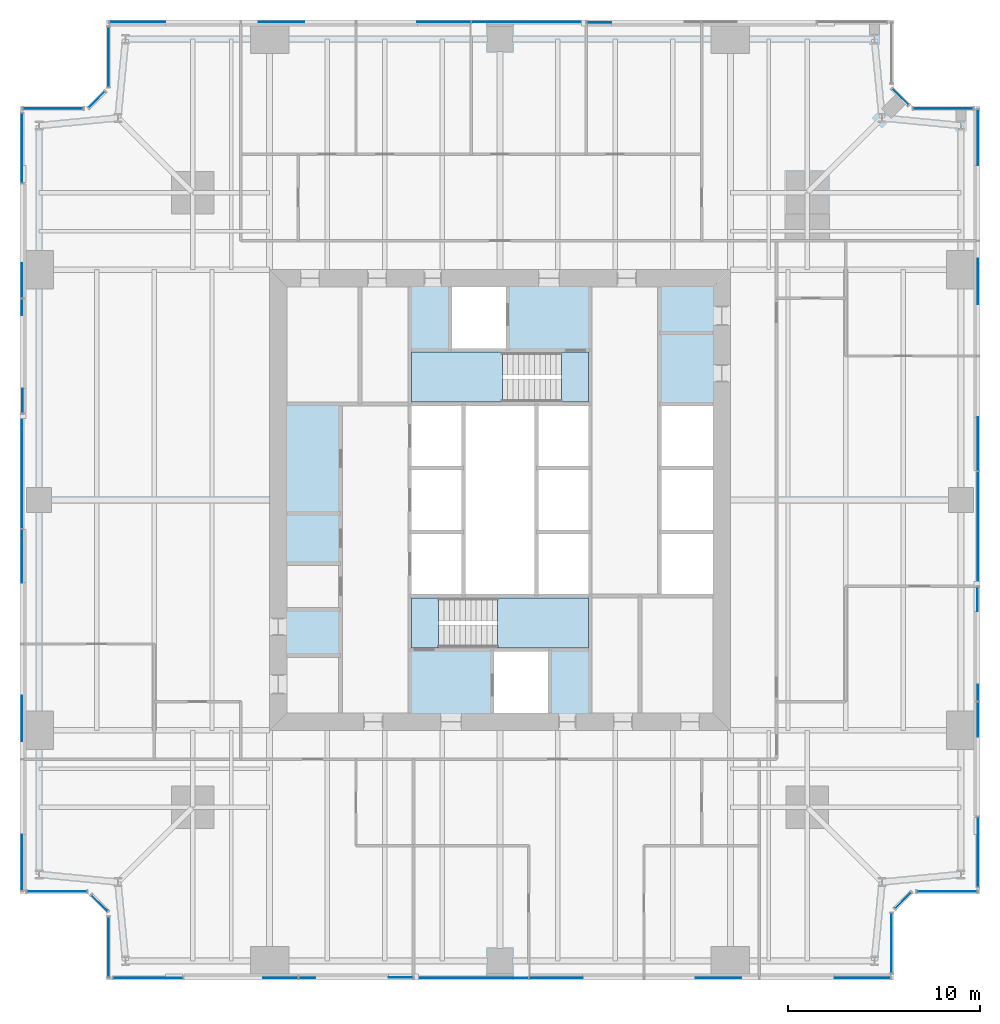
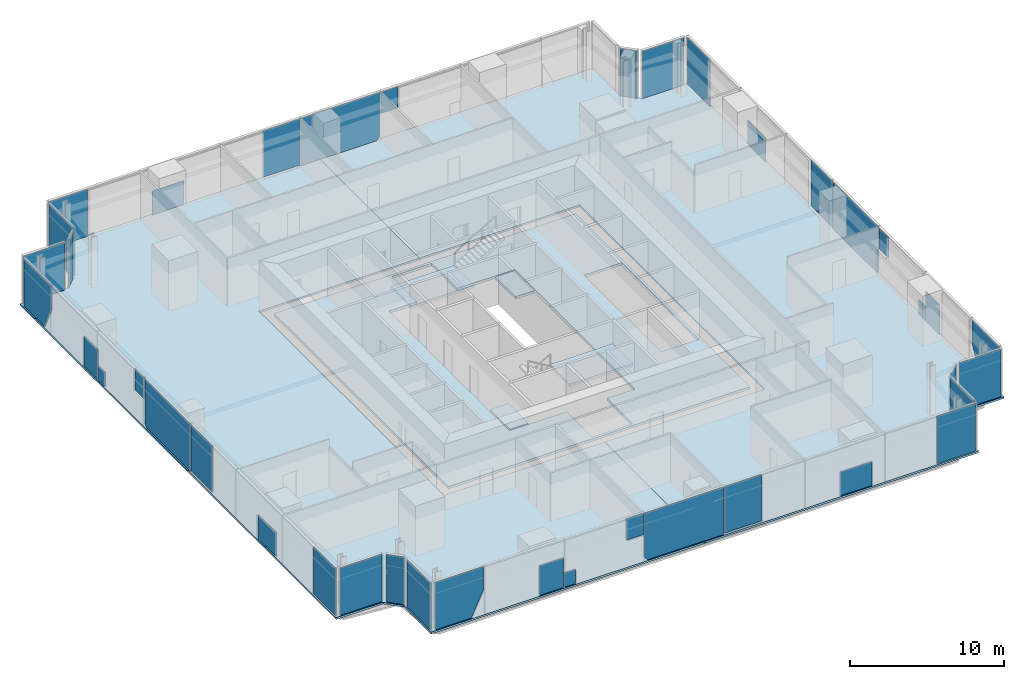
# One storey, part 8 of 14: 40 plates, 7 slabs, 17 elements without a shape of their own.
"""IFC4 building model written with IfcOpenShell, lengths in metres."""

from ifc_helpers import new_model, si_unit, direction, frame, origin, origin_2d, place, context, subcontext, project, spatial, polyline, rectangle, outline, extrude, material, layer, layer_set, type_object, element, aggregate, save


model = new_model("IFC4")

# Units and contexts
model_context = context("Model", 3, precision=1e-05, world=origin(), true_north=direction((0.0, 1.0)))
body_context = subcontext(model_context, "Body", "Model", "MODEL_VIEW")
ifc_project = project(units=[si_unit("LENGTHUNIT", "METRE"), si_unit("AREAUNIT", "SQUARE_METRE"), si_unit("VOLUMEUNIT", "CUBIC_METRE"), si_unit("PLANEANGLEUNIT", "RADIAN"), si_unit("MASSUNIT", "GRAM", prefix="KILO")], contexts=[model_context])

# Site, building, storey
site_placement = place(None, origin())
site = spatial("IfcSite", under=ifc_project, at=site_placement, CompositionType="ELEMENT")
building_placement = place(site_placement, origin())
building = spatial("IfcBuilding", under=site, at=building_placement, Name="Fenwick Lantern Interchange", CompositionType="ELEMENT")
storey_placement = place(building_placement, frame((0.0, 0.0, 154.39990234375)))
storey = spatial("IfcBuildingStorey", under=building, at=storey_placement, Name="L36", CompositionType="ELEMENT", Elevation=154.39990234375)

# Slabs
ifc_material_1 = material(Name="Concrete f'c 35 MPa", Category="concrete")
ifc_layer_1 = layer(ifc_material_1, 0.199951171875)
ifc_layer_set_1 = layer_set([ifc_layer_1], Name="CORE FLOOR SLAB 200")
slab_type_1 = type_object("IfcSlabType", Name="CORE FLOOR SLAB 200", PredefinedType="FLOOR", material=ifc_layer_set_1)
slab_1_placement = place(storey_placement, frame((0.0, 0.0, -0.199951171875)))
element("IfcSlab", 1, at=slab_1_placement, inside=storey, type_object=slab_type_1, Name="L36/SLAB/CORE", PredefinedType="FLOOR", context=body_context, shape_type="SweptSolid", body=[
    extrude(outline(polyline([(13.699951171875, 36.300048828125), (36.300048828125, 36.300048828125), (36.300048828125, 13.699951171875), (13.699951171875, 13.699951171875), (13.699951171875, 36.300048828125)]), holes=[polyline([(29.699951171875, 17.199951171875), (29.699951171875, 20.0), (29.699951171875, 23.333251953125), (29.699951171875, 26.666748046875), (29.699951171875, 30.0), (29.699951171875, 32.800048828125), (25.39990234375, 32.800048828125), (25.39990234375, 36.10009765625), (22.39990234375, 36.10009765625), (22.39990234375, 32.800048828125), (20.300048828125, 32.800048828125), (20.300048828125, 30.0), (20.300048828125, 26.666748046875), (20.300048828125, 23.333251953125), (20.300048828125, 20.0), (20.300048828125, 17.199951171875), (24.60009765625, 17.199951171875), (24.60009765625, 13.89990234375), (27.60009765625, 13.89990234375), (27.60009765625, 17.199951171875), (29.699951171875, 17.199951171875)]), polyline([(33.300048828125, 23.333251953125), (33.300048828125, 20.0), (36.10009765625, 20.0), (36.10009765625, 23.333251953125), (36.10009765625, 26.666748046875), (36.10009765625, 30.0), (33.300048828125, 30.0), (33.300048828125, 26.666748046875), (33.300048828125, 23.333251953125)])]), origin(), (0.0, 0.0, 1.0), 0.199951171875),
])
ifc_material_2 = material(Name="Concrete f'c 35 MPa", Category="concrete")
ifc_layer_2 = layer(ifc_material_2, 0.14990234375)
ifc_layer_set_2 = layer_set([ifc_layer_2], Name="Concrete f'c 35 MPa")
slab_type_2 = type_object("IfcSlabType", Name="FLOOR SLAB 150", PredefinedType="FLOOR", material=ifc_layer_set_2)
slab_2_placement = place(storey_placement, frame((0.0, 0.0, -0.14990234375)))
element("IfcSlab", 2, at=slab_2_placement, inside=storey, type_object=slab_type_2, Name="L36/SLAB/FW", PredefinedType="FLOOR", context=body_context, shape_type="SweptSolid", body=[
    extrude(outline(polyline([(4.5, 0.0), (4.5, 3.5), (3.5, 4.5), (0.0, 4.5), (0.0, 45.5), (3.5, 45.5), (4.5, 46.5), (4.5, 50.0), (25.0, 50.0), (25.0, 37.0), (13.0, 37.0), (13.0, 13.0), (25.0, 13.0), (25.0, 0.0), (4.5, 0.0)])), origin(), (0.0, 0.0, 1.0), 0.14990234375),
])
slab_3_placement = place(storey_placement, frame((0.0, 0.0, -0.14990234375)))
element("IfcSlab", 3, at=slab_3_placement, inside=storey, type_object=slab_type_2, Name="L36/SLAB/FE", PredefinedType="FLOOR", context=body_context, shape_type="SweptSolid", body=[
    extrude(outline(polyline([(45.5, 50.0), (45.5, 46.5), (46.5, 45.5), (50.0, 45.5), (50.0, 4.5), (46.5, 4.5), (45.5, 3.5), (45.5, 0.0), (25.0, 0.0), (25.0, 13.0), (37.0, 13.0), (37.0, 37.0), (25.0, 37.0), (25.0, 50.0), (45.5, 50.0)])), origin(), (0.0, 0.0, 1.0), 0.14990234375),
])

# Curtain wall, plates
ifc_material_3 = material(Name="Aluminium curtain wall frame", Category="aluminium")
curtain_wall_type = type_object("IfcCurtainWallType", Name="OFFICE CURTAIN WALL", PredefinedType="USERDEFINED", material=ifc_material_3)
curtain_wall_1_placement = place(storey_placement, origin())
curtain_wall_1 = element("IfcCurtainWall", 4, at=curtain_wall_1_placement, inside=storey, type_object=curtain_wall_type, Name="Office curtain wall 01", ObjectType="OFFICE CURTAIN WALL", PredefinedType="USERDEFINED")
ifc_material_4 = material(Name="Vision glass, clear low-iron double glazed", Category="glass")
ifc_layer_3 = layer(ifc_material_4, 0.031982421875)
ifc_layer_set_3 = layer_set([ifc_layer_3], Name="OFFICE CURTAIN WALL PANEL 32")
plate_type = type_object("IfcPlateType", Name="OFFICE CURTAIN WALL PANEL 32", PredefinedType="CURTAIN_PANEL", material=ifc_layer_set_3)
plate_1_placement = place(storey_placement, frame((4.60009765625, 0.10009765625, 0.0), z_axis=(0.0, 0.0, 1.0), x_axis=(1.0, 0.0, 0.0)))
plate_1 = element("IfcPlate", 5, at=plate_1_placement, type_object=plate_type, Name="L36/CW/01/P00a", PredefinedType="CURTAIN_PANEL", context=body_context, shape_type="SweptSolid", body=[
    extrude(outline(polyline([(0.264892578125, 0.0), (2.97265625, 0.0), (3.867431640625, 1.895263671875), (3.867431640625, 3.75), (0.264892578125, 3.75), (0.264892578125, 0.0)])), frame((0.0, 0.01611328125, 0.0), z_axis=(0.0, -1.0, 0.0), x_axis=(1.0, 0.0, 0.0)), (0.0, 0.0, 1.0), 0.031982421875),
])
plate_2_placement = place(storey_placement, frame((4.60009765625, 0.10009765625, 0.0), z_axis=(0.0, 0.0, 1.0), x_axis=(1.0, 0.0, 0.0)))
plate_2 = element("IfcPlate", 6, at=plate_2_placement, type_object=plate_type, Name="L36/CW/01/P01a", PredefinedType="CURTAIN_PANEL", context=body_context, shape_type="SweptSolid", body=[
    extrude(outline(polyline([(8.063720703125, 0.0), (9.867431640625, 0.0), (9.867431640625, 2.350341796875), (8.063720703125, 2.350341796875), (8.063720703125, 0.0)])), frame((0.0, 0.01611328125, 0.0), z_axis=(0.0, -1.0, 0.0), x_axis=(1.0, 0.0, 0.0)), (0.0, 0.0, 1.0), 0.031982421875),
])
plate_3_placement = place(storey_placement, frame((4.60009765625, 0.10009765625, 0.0), z_axis=(0.0, 0.0, 1.0), x_axis=(1.0, 0.0, 0.0)))
plate_3 = element("IfcPlate", 7, at=plate_3_placement, type_object=plate_type, Name="L36/CW/01/P02a", PredefinedType="CURTAIN_PANEL", context=body_context, shape_type="SweptSolid", body=[
    extrude(outline(polyline([(9.9326171875, 0.0), (10.78759765625, 0.0), (10.78759765625, 1.13232421875), (9.9326171875, 1.13232421875), (9.9326171875, 0.0)])), frame((0.0, 0.01611328125, 0.0), z_axis=(0.0, -1.0, 0.0), x_axis=(1.0, 0.0, 0.0)), (0.0, 0.0, 1.0), 0.031982421875),
])
plate_4_placement = place(storey_placement, frame((4.60009765625, 0.10009765625, 2.062255859375), z_axis=(0.0, 0.0, 1.0), x_axis=(1.0, 0.0, 0.0)))
plate_4 = element("IfcPlate", 8, at=plate_4_placement, type_object=plate_type, Name="L36/CW/01/P02b", PredefinedType="CURTAIN_PANEL", context=body_context, shape_type="SweptSolid", body=[
    extrude(outline(polyline([(14.5966796875, 0.0), (15.867431640625, 0.0), (15.867431640625, 1.687744140625), (14.5966796875, 1.687744140625), (14.5966796875, 0.0)])), frame((0.0, 0.0498046875, 0.0), z_axis=(0.0, -1.0, 0.0), x_axis=(1.0, 0.0, 0.0)), (0.0, 0.0, 1.0), 0.031982421875),
])
plate_5_placement = place(storey_placement, frame((4.60009765625, 0.10009765625, 0.0), z_axis=(0.0, 0.0, 1.0), x_axis=(1.0, 0.0, 0.0)))
plate_5 = element("IfcPlate", 9, at=plate_5_placement, type_object=plate_type, Name="L36/CW/01/P03a", PredefinedType="CURTAIN_PANEL", context=body_context, shape_type="SweptSolid", body=[
    extrude(outline(polyline([(16.154541015625, 0.0), (21.867431640625, 0.0), (21.867431640625, 3.75), (15.9326171875, 3.75), (15.9326171875, 0.294189453125), (16.154541015625, 0.0)])), frame((0.0, 0.01611328125, 0.0), z_axis=(0.0, -1.0, 0.0), x_axis=(1.0, 0.0, 0.0)), (0.0, 0.0, 1.0), 0.031982421875),
])
plate_6_placement = place(storey_placement, frame((4.60009765625, 0.10009765625, 0.082275390625), z_axis=(0.0, 0.0, 1.0), x_axis=(1.0, 0.0, 0.0)))
plate_6 = element("IfcPlate", 10, at=plate_6_placement, type_object=plate_type, Name="L36/CW/01/P04a", PredefinedType="CURTAIN_PANEL", context=body_context, shape_type="SweptSolid", body=[
    extrude(outline(polyline([(21.9326171875, 0.0), (24.70751953125, 0.0), (24.70751953125, 3.667724609375), (21.9326171875, 3.667724609375), (21.9326171875, 0.0)])), frame((0.0, 0.01611328125, 0.0), z_axis=(0.0, -1.0, 0.0), x_axis=(1.0, 0.0, 0.0)), (0.0, 0.0, 1.0), 0.031982421875),
])
plate_7_placement = place(storey_placement, frame((4.60009765625, 0.10009765625, 0.0), z_axis=(0.0, 0.0, 1.0), x_axis=(1.0, 0.0, 0.0)))
plate_7 = element("IfcPlate", 11, at=plate_7_placement, type_object=plate_type, Name="L36/CW/01/P05a", PredefinedType="CURTAIN_PANEL", context=body_context, shape_type="SweptSolid", body=[
    extrude(outline(polyline([(30.587158203125, 0.0), (32.9521484375, 0.0), (32.9521484375, 1.89306640625), (30.587158203125, 1.89306640625), (30.587158203125, 0.0)])), frame((0.0, 0.01611328125, 0.0), z_axis=(0.0, -1.0, 0.0), x_axis=(1.0, 0.0, 0.0)), (0.0, 0.0, 1.0), 0.031982421875),
])
plate_8_placement = place(storey_placement, frame((4.60009765625, 0.10009765625, 0.001220703125), z_axis=(0.0, 0.0, 1.0), x_axis=(1.0, 0.0, 0.0)))
plate_8 = element("IfcPlate", 12, at=plate_8_placement, type_object=plate_type, Name="L36/CW/01/P06a", PredefinedType="CURTAIN_PANEL", context=body_context, shape_type="SweptSolid", body=[
    extrude(outline(polyline([(37.82666015625, 0.0), (40.735107421875, 0.0), (40.735107421875, 3.748779296875), (37.82666015625, 3.748779296875), (37.82666015625, 0.0)])), frame((0.0, 0.01611328125, 0.0), z_axis=(0.0, -1.0, 0.0), x_axis=(1.0, 0.0, 0.0)), (0.0, 0.0, 1.0), 0.031982421875),
])
aggregate(curtain_wall_1, [plate_1, plate_2, plate_3, plate_4, plate_5, plate_6, plate_7, plate_8])

# Curtain wall, plate
curtain_wall_2_placement = place(storey_placement, origin())
curtain_wall_2 = element("IfcCurtainWall", 13, at=curtain_wall_2_placement, inside=storey, type_object=curtain_wall_type, Name="Office curtain wall 02", ObjectType="OFFICE CURTAIN WALL", PredefinedType="USERDEFINED")
plate_9_placement = place(storey_placement, frame((45.39990234375, 1.920654296875, 0.0), z_axis=(0.0, 0.0, 1.0), x_axis=(0.0, 1.0, 0.0)))
plate_9 = element("IfcPlate", 14, at=plate_9_placement, type_object=plate_type, Name="L36/CW/02/P00", PredefinedType="CURTAIN_PANEL", context=body_context, shape_type="SweptSolid", body=[
    extrude(rectangle(XDim=3.111328125, YDim=0.031982421875, at=origin_2d()), origin(), (0.0, 0.0, 1.0), 3.75),
])
aggregate(curtain_wall_2, [plate_9])

curtain_wall_3_placement = place(storey_placement, origin())
curtain_wall_3 = element("IfcCurtainWall", 15, at=curtain_wall_3_placement, inside=storey, type_object=curtain_wall_type, Name="Office curtain wall 03", ObjectType="OFFICE CURTAIN WALL", PredefinedType="USERDEFINED")
plate_10_placement = place(storey_placement, frame((46.0, 4.141357421875, 0.0), z_axis=(0.0, 0.0, 1.0), x_axis=(0.707106781187, 0.707106781187, 0.0)))
plate_10 = element("IfcPlate", 16, at=plate_10_placement, type_object=plate_type, Name="L36/CW/03/P00", PredefinedType="CURTAIN_PANEL", context=body_context, shape_type="SweptSolid", body=[
    extrude(rectangle(XDim=1.1669921875, YDim=0.031982421875, at=origin_2d()), origin(), (0.0, 0.0, 1.0), 3.75),
])
aggregate(curtain_wall_3, [plate_10])

curtain_wall_4_placement = place(storey_placement, origin())
curtain_wall_4 = element("IfcCurtainWall", 17, at=curtain_wall_4_placement, inside=storey, type_object=curtain_wall_type, Name="Office curtain wall 04", ObjectType="OFFICE CURTAIN WALL", PredefinedType="USERDEFINED")
plate_11_placement = place(storey_placement, frame((48.279296875, 4.60009765625, 0.0), z_axis=(0.0, 0.0, 1.0), x_axis=(1.0, 0.0, 0.0)))
plate_11 = element("IfcPlate", 18, at=plate_11_placement, type_object=plate_type, Name="L36/CW/04/P00", PredefinedType="CURTAIN_PANEL", context=body_context, shape_type="SweptSolid", body=[
    extrude(rectangle(XDim=3.111328125, YDim=0.031982421875, at=origin_2d()), origin(), (0.0, 0.0, 1.0), 3.75),
])
aggregate(curtain_wall_4, [plate_11])

# Curtain wall, plates
curtain_wall_5_placement = place(storey_placement, origin())
curtain_wall_5 = element("IfcCurtainWall", 19, at=curtain_wall_5_placement, inside=storey, type_object=curtain_wall_type, Name="Office curtain wall 05", ObjectType="OFFICE CURTAIN WALL", PredefinedType="USERDEFINED")
plate_12_placement = place(storey_placement, frame((49.89990234375, 4.60009765625, 0.0), z_axis=(0.0, 0.0, 1.0), x_axis=(0.0, 1.0, 0.0)))
plate_12 = element("IfcPlate", 20, at=plate_12_placement, type_object=plate_type, Name="L36/CW/05/P00a", PredefinedType="CURTAIN_PANEL", context=body_context, shape_type="SweptSolid", body=[
    extrude(outline(polyline([(0.264892578125, 0.0), (2.97265625, 0.0), (3.867431640625, 1.895263671875), (3.867431640625, 3.75), (0.264892578125, 3.75), (0.264892578125, 0.0)])), frame((0.0, 0.01611328125, 0.0), z_axis=(0.0, -1.0, 0.0), x_axis=(1.0, 0.0, 0.0)), (0.0, 0.0, 1.0), 0.031982421875),
])
plate_13_placement = place(storey_placement, frame((49.89990234375, 4.60009765625, 0.0), z_axis=(0.0, 0.0, 1.0), x_axis=(0.0, 1.0, 0.0)))
plate_13 = element("IfcPlate", 21, at=plate_13_placement, type_object=plate_type, Name="L36/CW/05/P01a", PredefinedType="CURTAIN_PANEL", context=body_context, shape_type="SweptSolid", body=[
    extrude(outline(polyline([(8.063720703125, 0.0), (9.867431640625, 0.0), (9.867431640625, 2.350341796875), (8.063720703125, 2.350341796875), (8.063720703125, 0.0)])), frame((0.0, 0.01611328125, 0.0), z_axis=(0.0, -1.0, 0.0), x_axis=(1.0, 0.0, 0.0)), (0.0, 0.0, 1.0), 0.031982421875),
])
plate_14_placement = place(storey_placement, frame((49.89990234375, 4.60009765625, 0.0), z_axis=(0.0, 0.0, 1.0), x_axis=(0.0, 1.0, 0.0)))
plate_14 = element("IfcPlate", 22, at=plate_14_placement, type_object=plate_type, Name="L36/CW/05/P02a", PredefinedType="CURTAIN_PANEL", context=body_context, shape_type="SweptSolid", body=[
    extrude(outline(polyline([(9.9326171875, 0.0), (10.78759765625, 0.0), (10.78759765625, 1.13232421875), (9.9326171875, 1.13232421875), (9.9326171875, 0.0)])), frame((0.0, 0.01611328125, 0.0), z_axis=(0.0, -1.0, 0.0), x_axis=(1.0, 0.0, 0.0)), (0.0, 0.0, 1.0), 0.031982421875),
])
plate_15_placement = place(storey_placement, frame((49.89990234375, 4.60009765625, 2.062255859375), z_axis=(0.0, 0.0, 1.0), x_axis=(0.0, 1.0, 0.0)))
plate_15 = element("IfcPlate", 23, at=plate_15_placement, type_object=plate_type, Name="L36/CW/05/P02b", PredefinedType="CURTAIN_PANEL", context=body_context, shape_type="SweptSolid", body=[
    extrude(outline(polyline([(14.5966796875, 0.0), (15.867431640625, 0.0), (15.867431640625, 1.687744140625), (14.5966796875, 1.687744140625), (14.5966796875, 0.0)])), frame((0.0, 0.0498046875, 0.0), z_axis=(0.0, -1.0, 0.0), x_axis=(1.0, 0.0, 0.0)), (0.0, 0.0, 1.0), 0.031982421875),
])
plate_16_placement = place(storey_placement, frame((49.89990234375, 4.60009765625, 0.0), z_axis=(0.0, 0.0, 1.0), x_axis=(0.0, 1.0, 0.0)))
plate_16 = element("IfcPlate", 24, at=plate_16_placement, type_object=plate_type, Name="L36/CW/05/P03a", PredefinedType="CURTAIN_PANEL", context=body_context, shape_type="SweptSolid", body=[
    extrude(outline(polyline([(16.154541015625, 0.0), (21.867431640625, 0.0), (21.867431640625, 3.75), (15.9326171875, 3.75), (15.9326171875, 0.294189453125), (16.154541015625, 0.0)])), frame((0.0, 0.01611328125, 0.0), z_axis=(0.0, -1.0, 0.0), x_axis=(1.0, 0.0, 0.0)), (0.0, 0.0, 1.0), 0.031982421875),
])
plate_17_placement = place(storey_placement, frame((49.89990234375, 4.60009765625, 0.082275390625), z_axis=(0.0, 0.0, 1.0), x_axis=(0.0, 1.0, 0.0)))
plate_17 = element("IfcPlate", 25, at=plate_17_placement, type_object=plate_type, Name="L36/CW/05/P04a", PredefinedType="CURTAIN_PANEL", context=body_context, shape_type="SweptSolid", body=[
    extrude(outline(polyline([(21.9326171875, 0.0), (24.70751953125, 0.0), (24.70751953125, 3.667724609375), (21.9326171875, 3.667724609375), (21.9326171875, 0.0)])), frame((0.0, 0.01611328125, 0.0), z_axis=(0.0, -1.0, 0.0), x_axis=(1.0, 0.0, 0.0)), (0.0, 0.0, 1.0), 0.031982421875),
])
plate_18_placement = place(storey_placement, frame((49.89990234375, 4.60009765625, 0.0), z_axis=(0.0, 0.0, 1.0), x_axis=(0.0, 1.0, 0.0)))
plate_18 = element("IfcPlate", 26, at=plate_18_placement, type_object=plate_type, Name="L36/CW/05/P05a", PredefinedType="CURTAIN_PANEL", context=body_context, shape_type="SweptSolid", body=[
    extrude(outline(polyline([(30.587158203125, 0.0), (32.9521484375, 0.0), (32.9521484375, 1.89306640625), (30.587158203125, 1.89306640625), (30.587158203125, 0.0)])), frame((0.0, 0.01611328125, 0.0), z_axis=(0.0, -1.0, 0.0), x_axis=(1.0, 0.0, 0.0)), (0.0, 0.0, 1.0), 0.031982421875),
])
plate_19_placement = place(storey_placement, frame((49.89990234375, 4.60009765625, 0.001220703125), z_axis=(0.0, 0.0, 1.0), x_axis=(0.0, 1.0, 0.0)))
plate_19 = element("IfcPlate", 27, at=plate_19_placement, type_object=plate_type, Name="L36/CW/05/P06a", PredefinedType="CURTAIN_PANEL", context=body_context, shape_type="SweptSolid", body=[
    extrude(outline(polyline([(37.82666015625, 0.0), (40.735107421875, 0.0), (40.735107421875, 3.748779296875), (37.82666015625, 3.748779296875), (37.82666015625, 0.0)])), frame((0.0, 0.01611328125, 0.0), z_axis=(0.0, -1.0, 0.0), x_axis=(1.0, 0.0, 0.0)), (0.0, 0.0, 1.0), 0.031982421875),
])
aggregate(curtain_wall_5, [plate_12, plate_13, plate_14, plate_15, plate_16, plate_17, plate_18, plate_19])

# Curtain wall, plate
curtain_wall_6_placement = place(storey_placement, origin())
curtain_wall_6 = element("IfcCurtainWall", 28, at=curtain_wall_6_placement, inside=storey, type_object=curtain_wall_type, Name="Office curtain wall 06", ObjectType="OFFICE CURTAIN WALL", PredefinedType="USERDEFINED")
plate_20_placement = place(storey_placement, frame((48.079345703125, 45.39990234375, 0.0), z_axis=(0.0, 0.0, 1.0), x_axis=(-1.0, 0.0, 0.0)))
plate_20 = element("IfcPlate", 29, at=plate_20_placement, type_object=plate_type, Name="L36/CW/06/P00", PredefinedType="CURTAIN_PANEL", context=body_context, shape_type="SweptSolid", body=[
    extrude(rectangle(XDim=3.111328125, YDim=0.031982421875, at=origin_2d()), origin(), (0.0, 0.0, 1.0), 3.75),
])
aggregate(curtain_wall_6, [plate_20])

curtain_wall_7_placement = place(storey_placement, origin())
curtain_wall_7 = element("IfcCurtainWall", 30, at=curtain_wall_7_placement, inside=storey, type_object=curtain_wall_type, Name="Office curtain wall 07", ObjectType="OFFICE CURTAIN WALL", PredefinedType="USERDEFINED")
plate_21_placement = place(storey_placement, frame((45.858642578125, 46.0, 0.0), z_axis=(0.0, 0.0, 1.0), x_axis=(-0.707106781187, 0.707106781187, 0.0)))
plate_21 = element("IfcPlate", 31, at=plate_21_placement, type_object=plate_type, Name="L36/CW/07/P00", PredefinedType="CURTAIN_PANEL", context=body_context, shape_type="SweptSolid", body=[
    extrude(rectangle(XDim=1.1669921875, YDim=0.031982421875, at=origin_2d()), origin(), (0.0, 0.0, 1.0), 3.75),
])
aggregate(curtain_wall_7, [plate_21])

# Curtain wall, plates
curtain_wall_8_placement = place(storey_placement, origin())
curtain_wall_8 = element("IfcCurtainWall", 32, at=curtain_wall_8_placement, inside=storey, type_object=curtain_wall_type, Name="Office curtain wall 09", ObjectType="OFFICE CURTAIN WALL", PredefinedType="USERDEFINED")
plate_22_placement = place(storey_placement, frame((45.39990234375, 49.89990234375, 2.062255859375), z_axis=(0.0, 0.0, 1.0), x_axis=(-1.0, 0.0, 0.0)))
plate_22 = element("IfcPlate", 33, at=plate_22_placement, type_object=plate_type, Name="L36/CW/09/P02b", PredefinedType="CURTAIN_PANEL", context=body_context, shape_type="SweptSolid", body=[
    extrude(outline(polyline([(14.5966796875, 0.0), (15.867431640625, 0.0), (15.867431640625, 1.687744140625), (14.5966796875, 1.687744140625), (14.5966796875, 0.0)])), frame((0.0, 0.0498046875, 0.0), z_axis=(0.0, -1.0, 0.0), x_axis=(1.0, 0.0, 0.0)), (0.0, 0.0, 1.0), 0.031982421875),
])
plate_23_placement = place(storey_placement, frame((45.39990234375, 49.89990234375, 0.0), z_axis=(0.0, 0.0, 1.0), x_axis=(-1.0, 0.0, 0.0)))
plate_23 = element("IfcPlate", 34, at=plate_23_placement, type_object=plate_type, Name="L36/CW/09/P03a", PredefinedType="CURTAIN_PANEL", context=body_context, shape_type="SweptSolid", body=[
    extrude(outline(polyline([(16.154541015625, 0.0), (21.867431640625, 0.0), (21.867431640625, 3.75), (15.9326171875, 3.75), (15.9326171875, 0.294189453125), (16.154541015625, 0.0)])), frame((0.0, 0.01611328125, 0.0), z_axis=(0.0, -1.0, 0.0), x_axis=(1.0, 0.0, 0.0)), (0.0, 0.0, 1.0), 0.031982421875),
])
plate_24_placement = place(storey_placement, frame((45.39990234375, 49.89990234375, 0.082275390625), z_axis=(0.0, 0.0, 1.0), x_axis=(-1.0, 0.0, 0.0)))
plate_24 = element("IfcPlate", 35, at=plate_24_placement, type_object=plate_type, Name="L36/CW/09/P04a", PredefinedType="CURTAIN_PANEL", context=body_context, shape_type="SweptSolid", body=[
    extrude(outline(polyline([(21.9326171875, 0.0), (24.70751953125, 0.0), (24.70751953125, 3.667724609375), (21.9326171875, 3.667724609375), (21.9326171875, 0.0)])), frame((0.0, 0.01611328125, 0.0), z_axis=(0.0, -1.0, 0.0), x_axis=(1.0, 0.0, 0.0)), (0.0, 0.0, 1.0), 0.031982421875),
])
plate_25_placement = place(storey_placement, frame((45.39990234375, 49.89990234375, 0.0), z_axis=(0.0, 0.0, 1.0), x_axis=(-1.0, 0.0, 0.0)))
plate_25 = element("IfcPlate", 36, at=plate_25_placement, type_object=plate_type, Name="L36/CW/09/P05a", PredefinedType="CURTAIN_PANEL", context=body_context, shape_type="SweptSolid", body=[
    extrude(outline(polyline([(30.587158203125, 0.0), (32.9521484375, 0.0), (32.9521484375, 1.89306640625), (30.587158203125, 1.89306640625), (30.587158203125, 0.0)])), frame((0.0, 0.01611328125, 0.0), z_axis=(0.0, -1.0, 0.0), x_axis=(1.0, 0.0, 0.0)), (0.0, 0.0, 1.0), 0.031982421875),
])
plate_26_placement = place(storey_placement, frame((45.39990234375, 49.89990234375, 0.001220703125), z_axis=(0.0, 0.0, 1.0), x_axis=(-1.0, 0.0, 0.0)))
plate_26 = element("IfcPlate", 37, at=plate_26_placement, type_object=plate_type, Name="L36/CW/09/P06a", PredefinedType="CURTAIN_PANEL", context=body_context, shape_type="SweptSolid", body=[
    extrude(outline(polyline([(37.82666015625, 0.0), (40.735107421875, 0.0), (40.735107421875, 3.748779296875), (37.82666015625, 3.748779296875), (37.82666015625, 0.0)])), frame((0.0, 0.01611328125, 0.0), z_axis=(0.0, -1.0, 0.0), x_axis=(1.0, 0.0, 0.0)), (0.0, 0.0, 1.0), 0.031982421875),
])
aggregate(curtain_wall_8, [plate_22, plate_23, plate_24, plate_25, plate_26])

# Curtain wall, plate
curtain_wall_9_placement = place(storey_placement, origin())
curtain_wall_9 = element("IfcCurtainWall", 38, at=curtain_wall_9_placement, inside=storey, type_object=curtain_wall_type, Name="Office curtain wall 10", ObjectType="OFFICE CURTAIN WALL", PredefinedType="USERDEFINED")
plate_27_placement = place(storey_placement, frame((4.60009765625, 48.079345703125, 0.0), z_axis=(0.0, 0.0, 1.0), x_axis=(0.0, -1.0, 0.0)))
plate_27 = element("IfcPlate", 39, at=plate_27_placement, type_object=plate_type, Name="L36/CW/10/P00", PredefinedType="CURTAIN_PANEL", context=body_context, shape_type="SweptSolid", body=[
    extrude(rectangle(XDim=3.111328125, YDim=0.031982421875, at=origin_2d()), origin(), (0.0, 0.0, 1.0), 3.75),
])
aggregate(curtain_wall_9, [plate_27])

curtain_wall_10_placement = place(storey_placement, origin())
curtain_wall_10 = element("IfcCurtainWall", 40, at=curtain_wall_10_placement, inside=storey, type_object=curtain_wall_type, Name="Office curtain wall 11", ObjectType="OFFICE CURTAIN WALL", PredefinedType="USERDEFINED")
plate_28_placement = place(storey_placement, frame((4.0, 45.858642578125, 0.0), z_axis=(0.0, 0.0, 1.0), x_axis=(-0.707106781187, -0.707106781187, 0.0)))
plate_28 = element("IfcPlate", 41, at=plate_28_placement, type_object=plate_type, Name="L36/CW/11/P00", PredefinedType="CURTAIN_PANEL", context=body_context, shape_type="SweptSolid", body=[
    extrude(rectangle(XDim=1.1669921875, YDim=0.031982421875, at=origin_2d()), origin(), (0.0, 0.0, 1.0), 3.75),
])
aggregate(curtain_wall_10, [plate_28])

curtain_wall_11_placement = place(storey_placement, origin())
curtain_wall_11 = element("IfcCurtainWall", 42, at=curtain_wall_11_placement, inside=storey, type_object=curtain_wall_type, Name="Office curtain wall 12", ObjectType="OFFICE CURTAIN WALL", PredefinedType="USERDEFINED")
plate_29_placement = place(storey_placement, frame((1.720703125, 45.39990234375, 0.0), z_axis=(0.0, 0.0, 1.0), x_axis=(-1.0, 0.0, 0.0)))
plate_29 = element("IfcPlate", 43, at=plate_29_placement, type_object=plate_type, Name="L36/CW/12/P00", PredefinedType="CURTAIN_PANEL", context=body_context, shape_type="SweptSolid", body=[
    extrude(rectangle(XDim=3.111328125, YDim=0.031982421875, at=origin_2d()), origin(), (0.0, 0.0, 1.0), 3.75),
])
aggregate(curtain_wall_11, [plate_29])

# Curtain wall, plates
curtain_wall_12_placement = place(storey_placement, origin())
curtain_wall_12 = element("IfcCurtainWall", 44, at=curtain_wall_12_placement, inside=storey, type_object=curtain_wall_type, Name="Office curtain wall 13", ObjectType="OFFICE CURTAIN WALL", PredefinedType="USERDEFINED")
plate_30_placement = place(storey_placement, frame((0.10009765625, 45.39990234375, 0.0), z_axis=(0.0, 0.0, 1.0), x_axis=(0.0, -1.0, 0.0)))
plate_30 = element("IfcPlate", 45, at=plate_30_placement, type_object=plate_type, Name="L36/CW/13/P00a", PredefinedType="CURTAIN_PANEL", context=body_context, shape_type="SweptSolid", body=[
    extrude(outline(polyline([(0.264892578125, 0.0), (2.97265625, 0.0), (3.867431640625, 1.895263671875), (3.867431640625, 3.75), (0.264892578125, 3.75), (0.264892578125, 0.0)])), frame((0.0, 0.01611328125, 0.0), z_axis=(0.0, -1.0, 0.0), x_axis=(1.0, 0.0, 0.0)), (0.0, 0.0, 1.0), 0.031982421875),
])
plate_31_placement = place(storey_placement, frame((0.10009765625, 45.39990234375, 0.0), z_axis=(0.0, 0.0, 1.0), x_axis=(0.0, -1.0, 0.0)))
plate_31 = element("IfcPlate", 46, at=plate_31_placement, type_object=plate_type, Name="L36/CW/13/P01a", PredefinedType="CURTAIN_PANEL", context=body_context, shape_type="SweptSolid", body=[
    extrude(outline(polyline([(8.063720703125, 0.0), (9.867431640625, 0.0), (9.867431640625, 2.350341796875), (8.063720703125, 2.350341796875), (8.063720703125, 0.0)])), frame((0.0, 0.01611328125, 0.0), z_axis=(0.0, -1.0, 0.0), x_axis=(1.0, 0.0, 0.0)), (0.0, 0.0, 1.0), 0.031982421875),
])
plate_32_placement = place(storey_placement, frame((0.10009765625, 45.39990234375, 0.0), z_axis=(0.0, 0.0, 1.0), x_axis=(0.0, -1.0, 0.0)))
plate_32 = element("IfcPlate", 47, at=plate_32_placement, type_object=plate_type, Name="L36/CW/13/P02a", PredefinedType="CURTAIN_PANEL", context=body_context, shape_type="SweptSolid", body=[
    extrude(outline(polyline([(9.9326171875, 0.0), (10.78759765625, 0.0), (10.78759765625, 1.13232421875), (9.9326171875, 1.13232421875), (9.9326171875, 0.0)])), frame((0.0, 0.01611328125, 0.0), z_axis=(0.0, -1.0, 0.0), x_axis=(1.0, 0.0, 0.0)), (0.0, 0.0, 1.0), 0.031982421875),
])
plate_33_placement = place(storey_placement, frame((0.10009765625, 45.39990234375, 2.062255859375), z_axis=(0.0, 0.0, 1.0), x_axis=(0.0, -1.0, 0.0)))
plate_33 = element("IfcPlate", 48, at=plate_33_placement, type_object=plate_type, Name="L36/CW/13/P02b", PredefinedType="CURTAIN_PANEL", context=body_context, shape_type="SweptSolid", body=[
    extrude(outline(polyline([(14.5966796875, 0.0), (15.867431640625, 0.0), (15.867431640625, 1.687744140625), (14.5966796875, 1.687744140625), (14.5966796875, 0.0)])), frame((0.0, 0.0498046875, 0.0), z_axis=(0.0, -1.0, 0.0), x_axis=(1.0, 0.0, 0.0)), (0.0, 0.0, 1.0), 0.031982421875),
])
plate_34_placement = place(storey_placement, frame((0.10009765625, 45.39990234375, 0.0), z_axis=(0.0, 0.0, 1.0), x_axis=(0.0, -1.0, 0.0)))
plate_34 = element("IfcPlate", 49, at=plate_34_placement, type_object=plate_type, Name="L36/CW/13/P03a", PredefinedType="CURTAIN_PANEL", context=body_context, shape_type="SweptSolid", body=[
    extrude(outline(polyline([(16.154541015625, 0.0), (21.867431640625, 0.0), (21.867431640625, 3.75), (15.9326171875, 3.75), (15.9326171875, 0.294189453125), (16.154541015625, 0.0)])), frame((0.0, 0.01611328125, 0.0), z_axis=(0.0, -1.0, 0.0), x_axis=(1.0, 0.0, 0.0)), (0.0, 0.0, 1.0), 0.031982421875),
])
plate_35_placement = place(storey_placement, frame((0.10009765625, 45.39990234375, 0.082275390625), z_axis=(0.0, 0.0, 1.0), x_axis=(0.0, -1.0, 0.0)))
plate_35 = element("IfcPlate", 50, at=plate_35_placement, type_object=plate_type, Name="L36/CW/13/P04a", PredefinedType="CURTAIN_PANEL", context=body_context, shape_type="SweptSolid", body=[
    extrude(outline(polyline([(21.9326171875, 0.0), (24.70751953125, 0.0), (24.70751953125, 3.667724609375), (21.9326171875, 3.667724609375), (21.9326171875, 0.0)])), frame((0.0, 0.01611328125, 0.0), z_axis=(0.0, -1.0, 0.0), x_axis=(1.0, 0.0, 0.0)), (0.0, 0.0, 1.0), 0.031982421875),
])
plate_36_placement = place(storey_placement, frame((0.10009765625, 45.39990234375, 0.0), z_axis=(0.0, 0.0, 1.0), x_axis=(0.0, -1.0, 0.0)))
plate_36 = element("IfcPlate", 51, at=plate_36_placement, type_object=plate_type, Name="L36/CW/13/P05a", PredefinedType="CURTAIN_PANEL", context=body_context, shape_type="SweptSolid", body=[
    extrude(outline(polyline([(30.587158203125, 0.0), (32.9521484375, 0.0), (32.9521484375, 1.89306640625), (30.587158203125, 1.89306640625), (30.587158203125, 0.0)])), frame((0.0, 0.01611328125, 0.0), z_axis=(0.0, -1.0, 0.0), x_axis=(1.0, 0.0, 0.0)), (0.0, 0.0, 1.0), 0.031982421875),
])
plate_37_placement = place(storey_placement, frame((0.10009765625, 45.39990234375, 0.001220703125), z_axis=(0.0, 0.0, 1.0), x_axis=(0.0, -1.0, 0.0)))
plate_37 = element("IfcPlate", 52, at=plate_37_placement, type_object=plate_type, Name="L36/CW/13/P06a", PredefinedType="CURTAIN_PANEL", context=body_context, shape_type="SweptSolid", body=[
    extrude(outline(polyline([(37.82666015625, 0.0), (40.735107421875, 0.0), (40.735107421875, 3.748779296875), (37.82666015625, 3.748779296875), (37.82666015625, 0.0)])), frame((0.0, 0.01611328125, 0.0), z_axis=(0.0, -1.0, 0.0), x_axis=(1.0, 0.0, 0.0)), (0.0, 0.0, 1.0), 0.031982421875),
])
aggregate(curtain_wall_12, [plate_30, plate_31, plate_32, plate_33, plate_34, plate_35, plate_36, plate_37])

# Curtain wall, plate
curtain_wall_13_placement = place(storey_placement, origin())
curtain_wall_13 = element("IfcCurtainWall", 53, at=curtain_wall_13_placement, inside=storey, type_object=curtain_wall_type, Name="Office curtain wall 14", ObjectType="OFFICE CURTAIN WALL", PredefinedType="USERDEFINED")
plate_38_placement = place(storey_placement, frame((1.920654296875, 4.60009765625, 0.0), z_axis=(0.0, 0.0, 1.0), x_axis=(1.0, 0.0, 0.0)))
plate_38 = element("IfcPlate", 54, at=plate_38_placement, type_object=plate_type, Name="L36/CW/14/P00", PredefinedType="CURTAIN_PANEL", context=body_context, shape_type="SweptSolid", body=[
    extrude(rectangle(XDim=3.111328125, YDim=0.031982421875, at=origin_2d()), origin(), (0.0, 0.0, 1.0), 3.75),
])
aggregate(curtain_wall_13, [plate_38])

curtain_wall_14_placement = place(storey_placement, origin())
curtain_wall_14 = element("IfcCurtainWall", 55, at=curtain_wall_14_placement, inside=storey, type_object=curtain_wall_type, Name="Office curtain wall 15", ObjectType="OFFICE CURTAIN WALL", PredefinedType="USERDEFINED")
plate_39_placement = place(storey_placement, frame((4.141357421875, 4.0, 0.0), z_axis=(0.0, 0.0, 1.0), x_axis=(0.707106781187, -0.707106781187, 0.0)))
plate_39 = element("IfcPlate", 56, at=plate_39_placement, type_object=plate_type, Name="L36/CW/15/P00", PredefinedType="CURTAIN_PANEL", context=body_context, shape_type="SweptSolid", body=[
    extrude(rectangle(XDim=1.1669921875, YDim=0.031982421875, at=origin_2d()), origin(), (0.0, 0.0, 1.0), 3.75),
])
aggregate(curtain_wall_14, [plate_39])

curtain_wall_15_placement = place(storey_placement, origin())
curtain_wall_15 = element("IfcCurtainWall", 57, at=curtain_wall_15_placement, inside=storey, type_object=curtain_wall_type, Name="Office curtain wall 16", ObjectType="OFFICE CURTAIN WALL", PredefinedType="USERDEFINED")
plate_40_placement = place(storey_placement, frame((4.60009765625, 1.720703125, 0.0), z_axis=(0.0, 0.0, 1.0), x_axis=(0.0, -1.0, 0.0)))
plate_40 = element("IfcPlate", 58, at=plate_40_placement, type_object=plate_type, Name="L36/CW/16/P00", PredefinedType="CURTAIN_PANEL", context=body_context, shape_type="SweptSolid", body=[
    extrude(rectangle(XDim=3.111328125, YDim=0.031982421875, at=origin_2d()), origin(), (0.0, 0.0, 1.0), 3.75),
])
aggregate(curtain_wall_15, [plate_40])

# Stair, slabs
ifc_material_5 = material(Name="Precast concrete f'c 35 MPa", Category="concrete")
stair_type = type_object("IfcStairType", Name="EXIT STAIR 1200", PredefinedType="HALF_TURN_STAIR", material=ifc_material_5)
stair_1_placement = place(storey_placement, origin())
stair_1 = element("IfcStair", 59, at=stair_1_placement, inside=storey, type_object=stair_type, Name="Exit stair ST1", PredefinedType="HALF_TURN_STAIR")
ifc_layer_4 = layer(ifc_material_1, 0.199951171875)
ifc_layer_set_4 = layer_set([ifc_layer_4], Name="STAIR LANDING 200")
slab_type_3 = type_object("IfcSlabType", Name="STAIR LANDING 200", PredefinedType="LANDING", material=ifc_layer_set_4)
slab_4_placement = place(storey_placement, frame((0.0, 0.0, 1.800048828125)))
slab_4 = element("IfcSlab", 60, at=slab_4_placement, type_object=slab_type_3, Name="ST1 landing 1", PredefinedType="LANDING", context=body_context, shape_type="SweptSolid", body=[
    extrude(outline(polyline([(24.8798828125, 17.300048828125), (29.60009765625, 17.300048828125), (29.60009765625, 19.89990234375), (24.8798828125, 19.89990234375), (24.8798828125, 17.300048828125)])), origin(), (0.0, 0.0, 1.0), 0.199951171875),
])
slab_5_placement = place(storey_placement, frame((0.0, 0.0, -0.199951171875)))
slab_5 = element("IfcSlab", 61, at=slab_5_placement, type_object=slab_type_3, Name="ST1 landing 2", PredefinedType="LANDING", context=body_context, shape_type="SweptSolid", body=[
    extrude(outline(polyline([(20.39990234375, 17.300048828125), (21.800048828125, 17.300048828125), (21.800048828125, 19.89990234375), (20.39990234375, 19.89990234375), (20.39990234375, 17.300048828125)])), origin(), (0.0, 0.0, 1.0), 0.199951171875),
])
aggregate(stair_1, [slab_4, slab_5])

stair_2_placement = place(storey_placement, origin())
stair_2 = element("IfcStair", 62, at=stair_2_placement, inside=storey, type_object=stair_type, Name="Exit stair ST2", PredefinedType="HALF_TURN_STAIR")
slab_6_placement = place(storey_placement, frame((0.0, 0.0, 1.800048828125)))
slab_6 = element("IfcSlab", 63, at=slab_6_placement, type_object=slab_type_3, Name="ST2 landing 1", PredefinedType="LANDING", context=body_context, shape_type="SweptSolid", body=[
    extrude(outline(polyline([(25.1201171875, 32.699951171875), (20.39990234375, 32.699951171875), (20.39990234375, 30.10009765625), (25.1201171875, 30.10009765625), (25.1201171875, 32.699951171875)])), origin(), (0.0, 0.0, 1.0), 0.199951171875),
])
slab_7_placement = place(storey_placement, frame((0.0, 0.0, -0.199951171875)))
slab_7 = element("IfcSlab", 64, at=slab_7_placement, type_object=slab_type_3, Name="ST2 landing 2", PredefinedType="LANDING", context=body_context, shape_type="SweptSolid", body=[
    extrude(outline(polyline([(29.60009765625, 32.699951171875), (28.199951171875, 32.699951171875), (28.199951171875, 30.10009765625), (29.60009765625, 30.10009765625), (29.60009765625, 32.699951171875)])), origin(), (0.0, 0.0, 1.0), 0.199951171875),
])
aggregate(stair_2, [slab_6, slab_7])

save(model, "model.ifc")
